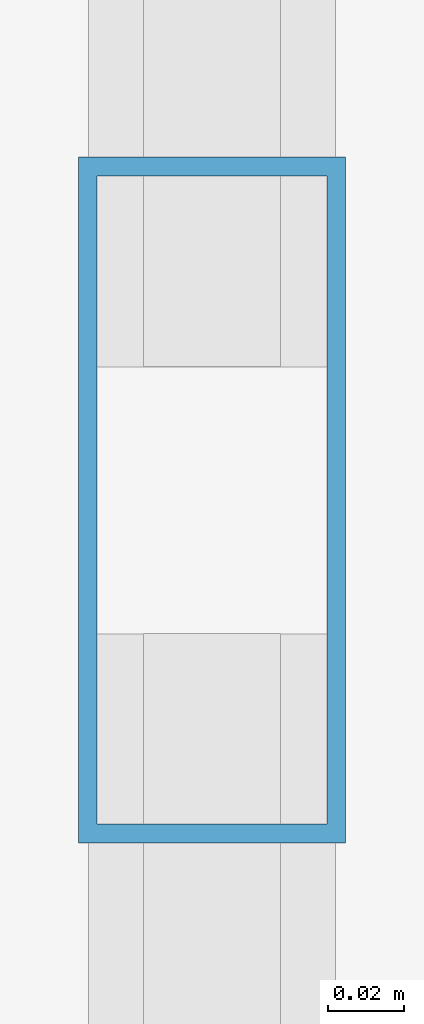
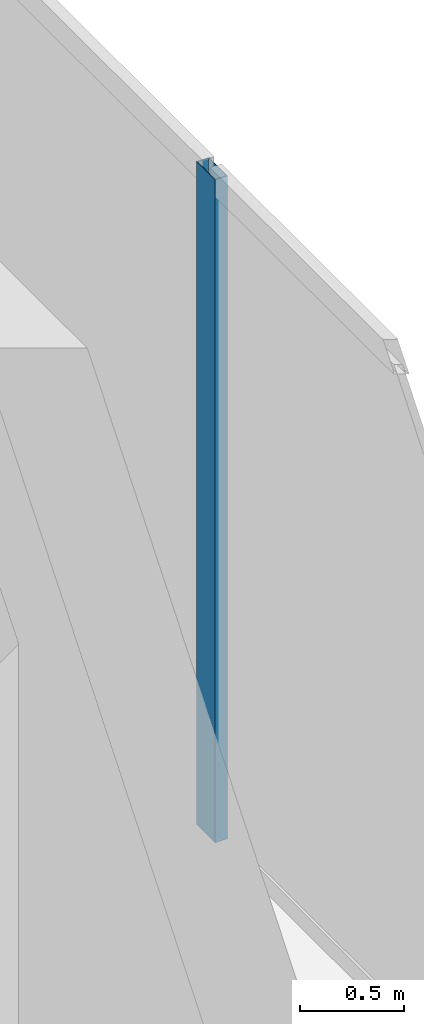
# One storey, part 16 of 32: 1 member, 1 element without a shape of its own.
"""IFC4 building model written with IfcOpenShell, lengths in metres."""

from ifc_helpers import new_model, si_unit, direction, frame, origin, origin_2d, place, context, subcontext, project, spatial, hollow_rectangle, extrude, source, transform, mapped, material, layer, layer_set, material_profile, profile_set, type_object, type_shapes, element, aggregate, save


model = new_model("IFC4")

# Units and contexts
model_context = context("Model", 3, precision=1e-05, world=origin(), true_north=direction((0.0, 1.0)))
body_context = subcontext(model_context, "Body", "Model", "MODEL_VIEW")
ifc_project = project(units=[si_unit("LENGTHUNIT", "METRE"), si_unit("AREAUNIT", "SQUARE_METRE"), si_unit("VOLUMEUNIT", "CUBIC_METRE"), si_unit("PLANEANGLEUNIT", "RADIAN"), si_unit("MASSUNIT", "GRAM", prefix="KILO")], contexts=[model_context])

# Site, building, storey
site_placement = place(None, origin())
site = spatial("IfcSite", under=ifc_project, at=site_placement, CompositionType="ELEMENT")
building_placement = place(site_placement, origin())
building = spatial("IfcBuilding", under=site, at=building_placement, Name="Haelvirn Gate Laboratories", CompositionType="ELEMENT")
storey_placement = place(building_placement, frame((0.0, 0.0, 301.800048828125)))
storey = spatial("IfcBuildingStorey", under=building, at=storey_placement, Name="L72", CompositionType="ELEMENT", Elevation=301.800048828125)

# Curtain wall, member
ifc_material_1 = material(Name="Anodised bronze unitised aluminium & triple low-E glass", Category="aluminium")
ifc_layer = layer(ifc_material_1, 0.176025390625, Name="CW-SYS-4")
ifc_layer_set = layer_set([ifc_layer], Name="Anodised bronze unitised aluminium & triple low-E glass")
curtain_wall_type = type_object("IfcCurtainWallType", Name="CW-SYS-4", PredefinedType="NOTDEFINED", material=ifc_layer_set)
curtain_wall_placement = place(storey_placement, origin())
curtain_wall = element("IfcCurtainWall", 1, at=curtain_wall_placement, inside=storey, type_object=curtain_wall_type, Name="L72 Unitised Curtain Wall CW-L72-P0-E07", PredefinedType="NOTDEFINED")
ifc_material_2 = material(Name="Extruded aluminium 6063-T6 (anodised bronze)", Category="aluminium")
ifc_material_profile = material_profile(ifc_material_2, hollow_rectangle(XDim=0.070068359375, YDim=0.179931640625, WallThickness=0.0048828125, at=origin_2d()), Name="CWM-180x70x5")
ifc_profile_set = profile_set([ifc_material_profile], Name="Extruded aluminium 6063-T6 (anodised bronze)")
member_type = type_object("IfcMemberType", Name="CWM-T180", PredefinedType="MULLION", material=ifc_profile_set)
shared_shape = source(origin(), body_context, "Body", "SweptSolid", [
    extrude(hollow_rectangle(XDim=0.070068359375, YDim=0.179931640625, WallThickness=0.0048828125, at=origin_2d()), origin(), (0.0, 0.0, 1.0), 3.89990234375),
])
type_shapes(member_type, [shared_shape])
member_placement = place(storey_placement, frame((68.89990234375, 24.300048828125, 0.0), z_axis=(0.0, 0.0, 1.0), x_axis=(-1.0, 0.0, 0.0)))
member = element("IfcMember", 2, at=member_placement, type_object=member_type, Name="CW4 mullion 2", PredefinedType="MULLION", context=body_context, shape_type="MappedRepresentation", body=[
    mapped(shared_shape, transform((0.0, 0.0, 0.0), scale=1.0)),
])
aggregate(curtain_wall, [member])

save(model, "model.ifc")
